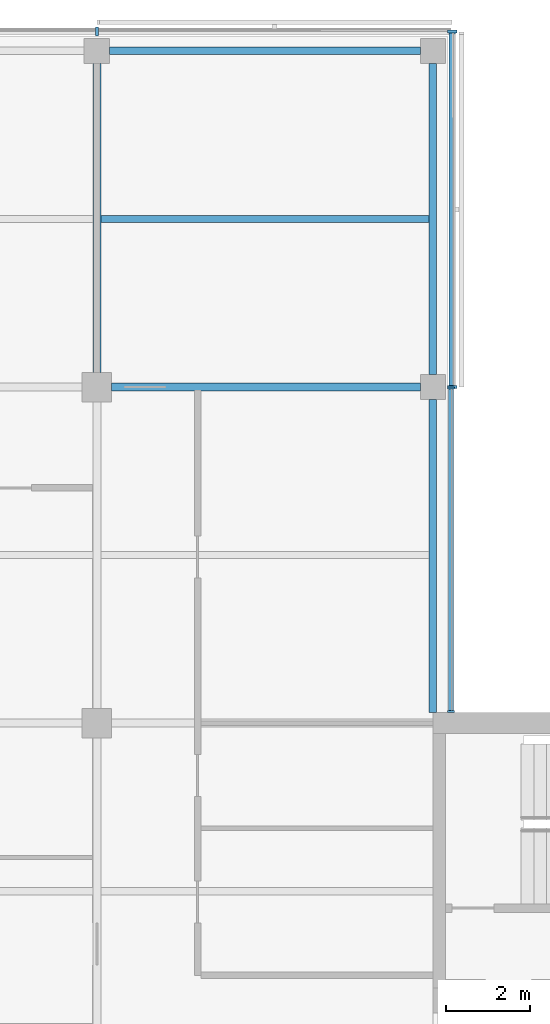
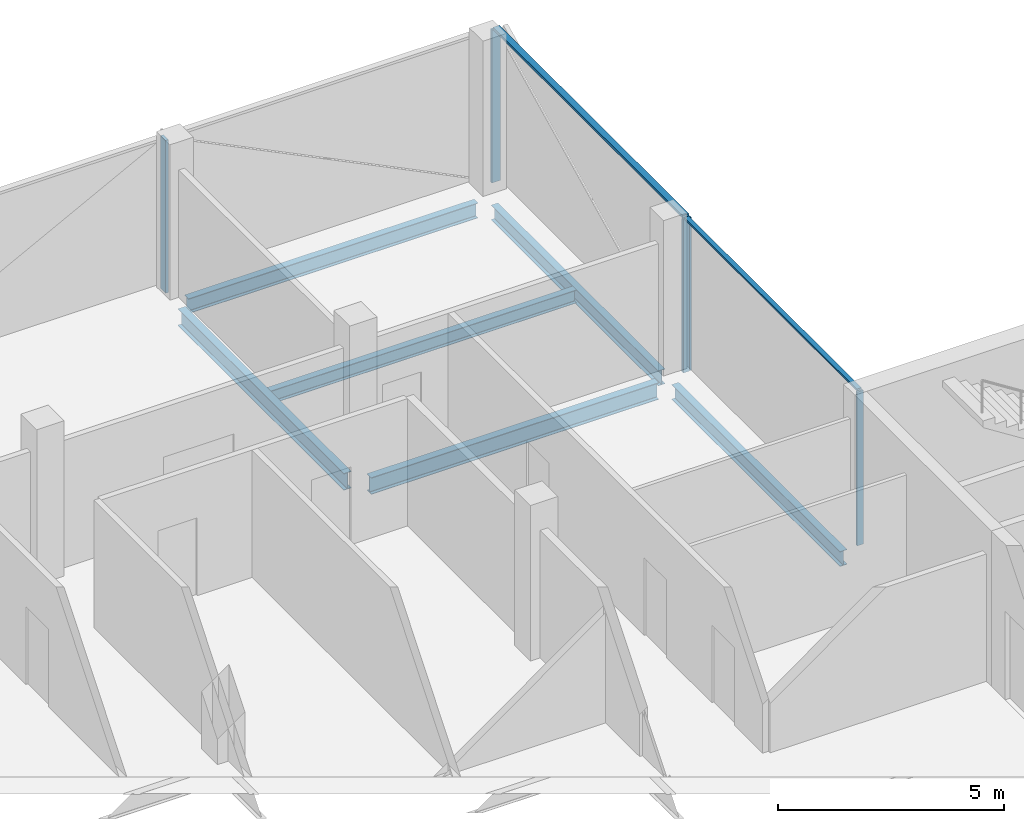
# One storey, part 7 of 16: 7 members, 6 beams, 3 elements without a shape of their own.
"""IFC4 building model written with IfcOpenShell, lengths in metres."""

from ifc_helpers import new_model, si_unit, direction, frame, origin, origin_2d, place, context, subcontext, project, spatial, rectangle, i_section, extrude, material, material_profile, profile_set, type_object, element, aggregate, save


model = new_model("IFC4")

# Units and contexts
model_context = context("Model", 3, precision=1e-05, world=origin(), true_north=direction((0.0, 1.0)))
body_context = subcontext(model_context, "Body", "Model", "MODEL_VIEW")
ifc_project = project(units=[si_unit("LENGTHUNIT", "METRE"), si_unit("AREAUNIT", "SQUARE_METRE"), si_unit("VOLUMEUNIT", "CUBIC_METRE"), si_unit("PLANEANGLEUNIT", "RADIAN"), si_unit("MASSUNIT", "GRAM", prefix="KILO")], contexts=[model_context])

# Site, building, storey
site_placement = place(None, origin())
site = spatial("IfcSite", under=ifc_project, at=site_placement, CompositionType="ELEMENT")
building_placement = place(site_placement, origin())
building = spatial("IfcBuilding", under=site, at=building_placement, Name="Crosswind Convention Tower", CompositionType="ELEMENT")
storey_placement = place(building_placement, frame((0.0, 0.0, 270.300048828125)))
storey = spatial("IfcBuildingStorey", under=building, at=storey_placement, Name="L58", CompositionType="ELEMENT", Elevation=270.300048828125)

# Beams
ifc_material_1 = material(Name="Steel S355", Category="steel")
ifc_material_profile_1 = material_profile(ifc_material_1, i_section(OverallWidth=0.177734375, OverallDepth=0.406494140625, WebThickness=0.0078125, FlangeThickness=0.0126953125, FilletRadius=0.01025390625, at=origin_2d()), Name="UB 406x178x60")
ifc_profile_set_1 = profile_set([ifc_material_profile_1], Name="Steel S355")
beam_type_1 = type_object("IfcBeamType", Name="Edge beam UB 406x178x60", PredefinedType="SPANDREL", material=ifc_profile_set_1)
beam_1_placement = place(storey_placement, frame((129.300048828125, 128.0, -0.503173828125), z_axis=(1.0, 0.0, 0.0), x_axis=(0.0, 1.0, 0.0)))
element("IfcBeam", 1, at=beam_1_placement, inside=storey, type_object=beam_type_1, Name="B15 L58 edge beam 10", PredefinedType="SPANDREL", context=body_context, shape_type="SweptSolid", body=[
    extrude(i_section(OverallWidth=0.177734375, OverallDepth=0.406494140625, WebThickness=0.0078125, FlangeThickness=0.0126953125, FilletRadius=0.01025390625, at=origin_2d()), origin(), (0.0, 0.0, 1.0), 7.39990234375),
])
beam_2_placement = place(storey_placement, frame((137.0, 112.25, -0.503173828125), z_axis=(0.0, 1.0, 0.0), x_axis=(-1.0, 0.0, 0.0)))
element("IfcBeam", 2, at=beam_2_placement, inside=storey, type_object=beam_type_1, Name="B15 L58 edge beam 13", PredefinedType="SPANDREL", context=body_context, shape_type="SweptSolid", body=[
    extrude(i_section(OverallWidth=0.177734375, OverallDepth=0.406494140625, WebThickness=0.0078125, FlangeThickness=0.0126953125, FilletRadius=0.01025390625, at=origin_2d()), origin(), (0.0, 0.0, 1.0), 7.449951171875),
])
beam_3_placement = place(storey_placement, frame((137.0, 120.300048828125, -0.503173828125), z_axis=(0.0, 1.0, 0.0), x_axis=(-1.0, 0.0, 0.0)))
element("IfcBeam", 3, at=beam_3_placement, inside=storey, type_object=beam_type_1, Name="B15 L58 edge beam 14", PredefinedType="SPANDREL", context=body_context, shape_type="SweptSolid", body=[
    extrude(i_section(OverallWidth=0.177734375, OverallDepth=0.406494140625, WebThickness=0.0078125, FlangeThickness=0.0126953125, FilletRadius=0.01025390625, at=origin_2d()), origin(), (0.0, 0.0, 1.0), 7.39990234375),
])
ifc_material_profile_2 = material_profile(ifc_material_1, i_section(OverallWidth=0.18994140625, OverallDepth=0.45361328125, WebThickness=0.008544921875, FlangeThickness=0.0126953125, FilletRadius=0.01025390625, at=origin_2d()), Name="UB 457x191x67")
ifc_profile_set_2 = profile_set([ifc_material_profile_2], Name="Steel S355")
beam_type_2 = type_object("IfcBeamType", Name="Girder UB 457x191x67", PredefinedType="BEAM", material=ifc_profile_set_2)
for number, where, z_axis, x_axis, name in (
    (4, (129.0, 120.35009765625, -0.52685546875), (0.0, 1.0, 0.0), (-1.0, 0.0, 0.0), "B1 L58 girder 22"),
    (5, (129.35009765625, 120.0, -0.52685546875), (1.0, 0.0, 0.0), (0.0, 1.0, 0.0), "B1 L58 girder 24"),
):
    element("IfcBeam", number, at=place(storey_placement, frame(where, z_axis=z_axis, x_axis=x_axis)), inside=storey, type_object=beam_type_2, Name=name, PredefinedType="BEAM", context=body_context, shape_type="SweptSolid", body=[
        extrude(i_section(OverallWidth=0.18994140625, OverallDepth=0.45361328125, WebThickness=0.008544921875, FlangeThickness=0.0126953125, FilletRadius=0.01025390625, at=origin_2d()), origin(), (0.0, 0.0, 1.0), 7.349853515625),
    ])

# Curtain wall, members
ifc_material_2 = material(Name="Aluminium unitised curtain wall", Category="aluminium")
curtain_wall_type_1 = type_object("IfcCurtainWallType", Name="CORE END SLOT WALL 160", PredefinedType="USERDEFINED", material=ifc_material_2)
curtain_wall_1_placement = place(storey_placement, origin())
curtain_wall_1 = element("IfcCurtainWall", 6, at=curtain_wall_1_placement, inside=storey, type_object=curtain_wall_type_1, Name="CW6 L58 N-E.1-1 slot", ObjectType="UNITISED", PredefinedType="USERDEFINED")
ifc_material_3 = material(Name="Aluminium mullion", Category="aluminium")
ifc_material_profile_3 = material_profile(ifc_material_3, rectangle(XDim=0.159912109375, YDim=0.050048828125, at=origin_2d()), Name="AL 160X50")
ifc_profile_set_3 = profile_set([ifc_material_profile_3], Name="Aluminium mullion")
member_type_1 = type_object("IfcMemberType", Name="MULLION 50X160", PredefinedType="MULLION", material=ifc_profile_set_3)
member_1_placement = place(storey_placement, frame((137.429931640625, 112.27490234375, -0.300048828125), z_axis=(0.0, 0.0, 1.0), x_axis=(1.0, 0.0, 0.0)))
member_1 = element("IfcMember", 7, at=member_1_placement, type_object=member_type_1, Name="CW6 mullion 1", PredefinedType="MULLION", context=body_context, shape_type="SweptSolid", body=[
    extrude(rectangle(XDim=0.159912109375, YDim=0.050048828125, at=origin_2d()), origin(), (0.0, 0.0, 1.0), 4.14990234375),
])
member_2_placement = place(storey_placement, frame((137.429931640625, 119.97509765625, -0.300048828125), z_axis=(0.0, 0.0, 1.0), x_axis=(1.0, 0.0, 0.0)))
member_2 = element("IfcMember", 8, at=member_2_placement, type_object=member_type_1, Name="CW6 mullion 2", PredefinedType="MULLION", context=body_context, shape_type="SweptSolid", body=[
    extrude(rectangle(XDim=0.159912109375, YDim=0.050048828125, at=origin_2d()), origin(), (0.0, 0.0, 1.0), 4.14990234375),
])

curtain_wall_type_2 = type_object("IfcCurtainWallType", Name="OFFICE UNITISED WALL 220", PredefinedType="USERDEFINED", material=ifc_material_2)
curtain_wall_2_placement = place(storey_placement, origin())
curtain_wall_2 = element("IfcCurtainWall", 9, at=curtain_wall_2_placement, inside=storey, type_object=curtain_wall_type_2, Name="CW3 L58 N-E 1", ObjectType="UNITISED", PredefinedType="USERDEFINED")
ifc_material_profile_4 = material_profile(ifc_material_3, rectangle(XDim=0.219970703125, YDim=0.070068359375, at=origin_2d()), Name="AL 220X70")
ifc_profile_set_4 = profile_set([ifc_material_profile_4], Name="Aluminium mullion")
member_type_2 = type_object("IfcMemberType", Name="MULLION 70X220", PredefinedType="MULLION", material=ifc_profile_set_4)
member_3_placement = place(storey_placement, frame((137.4599609375, 120.0, -0.300048828125), z_axis=(0.0, 0.0, 1.0), x_axis=(1.0, 0.0, 0.0)))
member_3 = element("IfcMember", 10, at=member_3_placement, type_object=member_type_2, Name="CW3 mullion 1", PredefinedType="MULLION", context=body_context, shape_type="SweptSolid", body=[
    extrude(rectangle(XDim=0.219970703125, YDim=0.070068359375, at=origin_2d()), origin(), (0.0, 0.0, 1.0), 4.1298828125),
])
member_4_placement = place(storey_placement, frame((137.4599609375, 128.4599609375, -0.300048828125), z_axis=(0.0, 0.0, 1.0), x_axis=(1.0, 0.0, 0.0)))
member_4 = element("IfcMember", 11, at=member_4_placement, type_object=member_type_2, Name="CW3 mullion 2", PredefinedType="MULLION", context=body_context, shape_type="SweptSolid", body=[
    extrude(rectangle(XDim=0.219970703125, YDim=0.070068359375, at=origin_2d()), origin(), (0.0, 0.0, 1.0), 4.1298828125),
])

# Curtain wall, member
curtain_wall_3_placement = place(storey_placement, origin())
curtain_wall_3 = element("IfcCurtainWall", 12, at=curtain_wall_3_placement, inside=storey, type_object=curtain_wall_type_2, Name="CW3 L58 N-TIP 1", ObjectType="UNITISED", PredefinedType="USERDEFINED")
member_5_placement = place(storey_placement, frame((129.0, 128.4599609375, -0.300048828125), z_axis=(0.0, 0.0, 1.0), x_axis=(0.0, 1.0, 0.0)))
member_5 = element("IfcMember", 13, at=member_5_placement, type_object=member_type_2, Name="CW3 mullion 2", PredefinedType="MULLION", context=body_context, shape_type="SweptSolid", body=[
    extrude(rectangle(XDim=0.219970703125, YDim=0.070068359375, at=origin_2d()), origin(), (0.0, 0.0, 1.0), 4.1298828125),
])
aggregate(curtain_wall_3, [member_5])

# Beam
ifc_material_profile_5 = material_profile(ifc_material_1, i_section(OverallWidth=0.17138671875, OverallDepth=0.355712890625, WebThickness=0.00732421875, FlangeThickness=0.011474609375, FilletRadius=0.01025390625, at=origin_2d()), Name="UB 356x171x51")
ifc_profile_set_5 = profile_set([ifc_material_profile_5], Name="Steel S355")
beam_type_3 = type_object("IfcBeamType", Name="Secondary beam UB 356x171x51", PredefinedType="JOIST", material=ifc_profile_set_5)
beam_4_placement = place(storey_placement, frame((129.094970703125, 124.0, -0.477783203125), z_axis=(1.0, 0.0, 0.0), x_axis=(0.0, 1.0, 0.0)))
element("IfcBeam", 14, at=beam_4_placement, inside=storey, type_object=beam_type_3, Name="B8 L58 secondary beam 21", PredefinedType="JOIST", context=body_context, shape_type="SweptSolid", body=[
    extrude(i_section(OverallWidth=0.17138671875, OverallDepth=0.355712890625, WebThickness=0.00732421875, FlangeThickness=0.011474609375, FilletRadius=0.01025390625, at=origin_2d()), origin(), (0.0, 0.0, 1.0), 7.816162109375),
])

# Member
ifc_material_4 = material(Name="Aluminium transom", Category="aluminium")
ifc_material_profile_6 = material_profile(ifc_material_4, rectangle(XDim=0.1201171875, YDim=0.050048828125, at=origin_2d()), Name="AL 120X50")
ifc_profile_set_6 = profile_set([ifc_material_profile_6], Name="Aluminium transom")
member_type_3 = type_object("IfcMemberType", Name="TRANSOM 50X120", PredefinedType="USERDEFINED", material=ifc_profile_set_6)
member_6_placement = place(storey_placement, frame((137.429931640625, 112.300048828125, 3.875), z_axis=(0.0, 1.0, 0.0), x_axis=(-1.0, 0.0, 0.0)))
member_6 = element("IfcMember", 15, at=member_6_placement, type_object=member_type_3, Name="CW6 transom", ObjectType="TRANSOM", PredefinedType="USERDEFINED", context=body_context, shape_type="SweptSolid", body=[
    extrude(rectangle(XDim=0.1201171875, YDim=0.050048828125, at=origin_2d()), origin(), (0.0, 0.0, 1.0), 7.64990234375),
])

aggregate(curtain_wall_1, [member_1, member_2, member_6])

ifc_material_profile_7 = material_profile(ifc_material_4, rectangle(XDim=0.159912109375, YDim=0.070068359375, at=origin_2d()), Name="AL 160X70")
ifc_profile_set_7 = profile_set([ifc_material_profile_7], Name="Aluminium transom")
member_type_4 = type_object("IfcMemberType", Name="TRANSOM 70X160", PredefinedType="USERDEFINED", material=ifc_profile_set_7)
member_7_placement = place(storey_placement, frame((137.4599609375, 120.034912109375, 3.864990234375), z_axis=(0.0, 1.0, 0.0), x_axis=(-1.0, 0.0, 0.0)))
member_7 = element("IfcMember", 16, at=member_7_placement, type_object=member_type_4, Name="CW3 transom", ObjectType="TRANSOM", PredefinedType="USERDEFINED", context=body_context, shape_type="SweptSolid", body=[
    extrude(rectangle(XDim=0.159912109375, YDim=0.070068359375, at=origin_2d()), origin(), (0.0, 0.0, 1.0), 8.39013671875),
])

aggregate(curtain_wall_2, [member_3, member_4, member_7])

save(model, "model.ifc")
